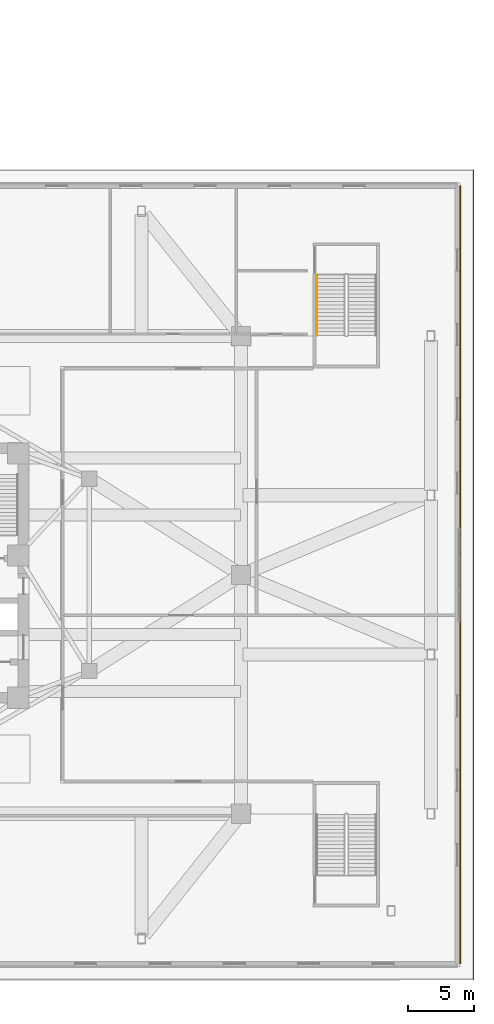
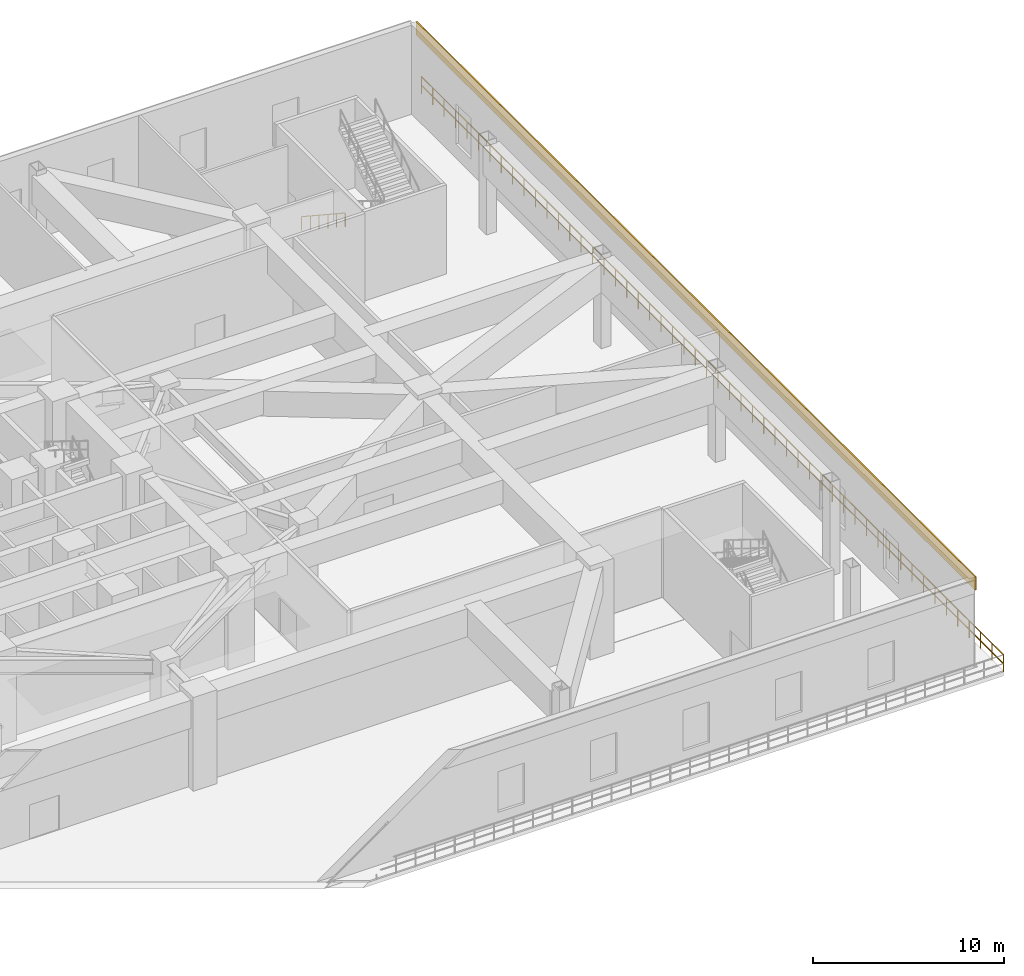
# One storey, part 24 of 25: 2 railings, 1 covering.
"""IFC4 building model written with IfcOpenShell, lengths in metres."""

from ifc_helpers import new_model, si_unit, direction, frame, origin, origin_2d, place, context, subcontext, project, spatial, polyline, rectangle, outline, extrude, material, layer, layer_set, type_object, element, save


model = new_model("IFC4")

# Units and contexts
model_context = context("Model", 3, precision=1e-05, world=origin(), true_north=direction((0.0, 1.0)))
body_context = subcontext(model_context, "Body", "Model", "MODEL_VIEW")
ifc_project = project(units=[si_unit("LENGTHUNIT", "METRE"), si_unit("AREAUNIT", "SQUARE_METRE"), si_unit("VOLUMEUNIT", "CUBIC_METRE"), si_unit("PLANEANGLEUNIT", "RADIAN"), si_unit("MASSUNIT", "GRAM", prefix="KILO")], contexts=[model_context])

# Site, building, storey
site_placement = place(None, origin())
site = spatial("IfcSite", under=ifc_project, at=site_placement, CompositionType="ELEMENT")
building_placement = place(site_placement, origin())
building = spatial("IfcBuilding", under=site, at=building_placement, Name="Apsidion Concourse Tower", CompositionType="ELEMENT")
storey_placement = place(building_placement, frame((0.0, 0.0, 11.5)))
storey = spatial("IfcBuildingStorey", under=building, at=storey_placement, Name="L02", CompositionType="ELEMENT", Elevation=11.5)

# Covering
ifc_material_1 = material(Name="Reconstituted limestone facade cladding", Category="masonry")
ifc_layer = layer(ifc_material_1, 0.080078125)
ifc_layer_set = layer_set([ifc_layer], Name="Reconstituted limestone facade cladding")
covering_type = type_object("IfcCoveringType", Name="COV-CLAD-80", PredefinedType="CLADDING", material=ifc_layer_set)
covering_placement = place(storey_placement, frame((0.0, 0.0, 4.85009765625)))
element("IfcCovering", 1, at=covering_placement, inside=storey, type_object=covering_type, Name="L02 Limestone Spandrel Cladding E", PredefinedType="CLADDING", context=body_context, shape_type="SweptSolid", body=[
    extrude(outline(polyline([(40.47998046875, 29.300048828125), (40.47998046875, -29.300048828125), (40.56005859375, -29.300048828125), (40.56005859375, 29.300048828125), (40.47998046875, 29.300048828125)])), origin(), (0.0, 0.0, 1.0), 0.849853515625),
])

# Railings
ifc_material_2 = material(Name="Brushed stainless steel 316", Category="steel")
railing_type_1 = type_object("IfcRailingType", Name="RL-BAL-1120", PredefinedType="BALUSTRADE", material=ifc_material_2)
railing_1_placement = place(storey_placement, frame((41.5, 30.5, 0.0)))
element("IfcRailing", 2, at=railing_1_placement, inside=storey, type_object=railing_type_1, Name="L02 Podium Setback Terrace Balustrade 2", PredefinedType="BALUSTRADE", context=body_context, shape_type="SweptSolid", body=[
    extrude(rectangle(XDim=0.048095703125, YDim=0.048095703125, at=origin_2d()), frame((0.0, 0.0, 1.09619140625), z_axis=(0.0, -1.0, 0.0), x_axis=(1.0, 0.0, 0.0)), (0.0, 0.0, 1.0), 61.0),
    extrude(rectangle(XDim=0.048095703125, YDim=0.048095703125, at=origin_2d()), frame((0.0, 0.0, 0.5361328125), z_axis=(0.0, -1.0, 0.0), x_axis=(1.0, 0.0, 0.0)), (0.0, 0.0, 1.0), 61.0),
    extrude(rectangle(XDim=0.0419921875, YDim=0.0419921875, at=origin_2d()), origin(), (0.0, 0.0, 1.0), 1.072021484375),
    extrude(rectangle(XDim=0.0419921875, YDim=0.0419921875, at=origin_2d()), frame((0.0, -1.196044921875, 0.0)), (0.0, 0.0, 1.0), 1.072021484375),
    extrude(rectangle(XDim=0.0419921875, YDim=0.0419921875, at=origin_2d()), frame((0.0, -2.39208984375, 0.0)), (0.0, 0.0, 1.0), 1.072021484375),
    extrude(rectangle(XDim=0.0419921875, YDim=0.0419921875, at=origin_2d()), frame((0.0, -3.588134765625, 0.0)), (0.0, 0.0, 1.0), 1.072021484375),
    extrude(rectangle(XDim=0.0419921875, YDim=0.0419921875, at=origin_2d()), frame((0.0, -4.784423828125, 0.0)), (0.0, 0.0, 1.0), 1.072021484375),
    extrude(rectangle(XDim=0.0419921875, YDim=0.0419921875, at=origin_2d()), frame((0.0, -5.98046875, 0.0)), (0.0, 0.0, 1.0), 1.072021484375),
    extrude(rectangle(XDim=0.0419921875, YDim=0.0419921875, at=origin_2d()), frame((0.0, -7.176513671875, 0.0)), (0.0, 0.0, 1.0), 1.072021484375),
    extrude(rectangle(XDim=0.0419921875, YDim=0.0419921875, at=origin_2d()), frame((0.0, -8.37255859375, 0.0)), (0.0, 0.0, 1.0), 1.072021484375),
    extrude(rectangle(XDim=0.0419921875, YDim=0.0419921875, at=origin_2d()), frame((0.0, -9.568603515625, 0.0)), (0.0, 0.0, 1.0), 1.072021484375),
    extrude(rectangle(XDim=0.0419921875, YDim=0.0419921875, at=origin_2d()), frame((0.0, -10.7646484375, 0.0)), (0.0, 0.0, 1.0), 1.072021484375),
    extrude(rectangle(XDim=0.0419921875, YDim=0.0419921875, at=origin_2d()), frame((0.0, -11.960693359375, 0.0)), (0.0, 0.0, 1.0), 1.072021484375),
    extrude(rectangle(XDim=0.0419921875, YDim=0.0419921875, at=origin_2d()), frame((0.0, -13.156982421875, 0.0)), (0.0, 0.0, 1.0), 1.072021484375),
    extrude(rectangle(XDim=0.0419921875, YDim=0.0419921875, at=origin_2d()), frame((0.0, -14.35302734375, 0.0)), (0.0, 0.0, 1.0), 1.072021484375),
    extrude(rectangle(XDim=0.0419921875, YDim=0.0419921875, at=origin_2d()), frame((0.0, -15.549072265625, 0.0)), (0.0, 0.0, 1.0), 1.072021484375),
    extrude(rectangle(XDim=0.0419921875, YDim=0.0419921875, at=origin_2d()), frame((0.0, -16.7451171875, 0.0)), (0.0, 0.0, 1.0), 1.072021484375),
    extrude(rectangle(XDim=0.0419921875, YDim=0.0419921875, at=origin_2d()), frame((0.0, -17.941162109375, 0.0)), (0.0, 0.0, 1.0), 1.072021484375),
    extrude(rectangle(XDim=0.0419921875, YDim=0.0419921875, at=origin_2d()), frame((0.0, -19.13720703125, 0.0)), (0.0, 0.0, 1.0), 1.072021484375),
    extrude(rectangle(XDim=0.0419921875, YDim=0.0419921875, at=origin_2d()), frame((0.0, -20.333251953125, 0.0)), (0.0, 0.0, 1.0), 1.072021484375),
    extrude(rectangle(XDim=0.0419921875, YDim=0.0419921875, at=origin_2d()), frame((0.0, -21.529296875, 0.0)), (0.0, 0.0, 1.0), 1.072021484375),
    extrude(rectangle(XDim=0.0419921875, YDim=0.0419921875, at=origin_2d()), frame((0.0, -22.7255859375, 0.0)), (0.0, 0.0, 1.0), 1.072021484375),
    extrude(rectangle(XDim=0.0419921875, YDim=0.0419921875, at=origin_2d()), frame((0.0, -23.921630859375, 0.0)), (0.0, 0.0, 1.0), 1.072021484375),
    extrude(rectangle(XDim=0.0419921875, YDim=0.0419921875, at=origin_2d()), frame((0.0, -25.11767578125, 0.0)), (0.0, 0.0, 1.0), 1.072021484375),
    extrude(rectangle(XDim=0.0419921875, YDim=0.0419921875, at=origin_2d()), frame((0.0, -26.313720703125, 0.0)), (0.0, 0.0, 1.0), 1.072021484375),
    extrude(rectangle(XDim=0.0419921875, YDim=0.0419921875, at=origin_2d()), frame((0.0, -27.509765625, 0.0)), (0.0, 0.0, 1.0), 1.072021484375),
    extrude(rectangle(XDim=0.0419921875, YDim=0.0419921875, at=origin_2d()), frame((0.0, -28.705810546875, 0.0)), (0.0, 0.0, 1.0), 1.072021484375),
    extrude(rectangle(XDim=0.0419921875, YDim=0.0419921875, at=origin_2d()), frame((0.0, -29.90185546875, 0.0)), (0.0, 0.0, 1.0), 1.072021484375),
    extrude(rectangle(XDim=0.0419921875, YDim=0.0419921875, at=origin_2d()), frame((0.0, -31.09814453125, 0.0)), (0.0, 0.0, 1.0), 1.072021484375),
    extrude(rectangle(XDim=0.0419921875, YDim=0.0419921875, at=origin_2d()), frame((0.0, -32.294189453125, 0.0)), (0.0, 0.0, 1.0), 1.072021484375),
    extrude(rectangle(XDim=0.0419921875, YDim=0.0419921875, at=origin_2d()), frame((0.0, -33.490234375, 0.0)), (0.0, 0.0, 1.0), 1.072021484375),
    extrude(rectangle(XDim=0.0419921875, YDim=0.0419921875, at=origin_2d()), frame((0.0, -34.686279296875, 0.0)), (0.0, 0.0, 1.0), 1.072021484375),
    extrude(rectangle(XDim=0.0419921875, YDim=0.0419921875, at=origin_2d()), frame((0.0, -35.88232421875, 0.0)), (0.0, 0.0, 1.0), 1.072021484375),
    extrude(rectangle(XDim=0.0419921875, YDim=0.0419921875, at=origin_2d()), frame((0.0, -37.078369140625, 0.0)), (0.0, 0.0, 1.0), 1.072021484375),
    extrude(rectangle(XDim=0.0419921875, YDim=0.0419921875, at=origin_2d()), frame((0.0, -38.2744140625, 0.0)), (0.0, 0.0, 1.0), 1.072021484375),
    extrude(rectangle(XDim=0.0419921875, YDim=0.0419921875, at=origin_2d()), frame((0.0, -39.470703125, 0.0)), (0.0, 0.0, 1.0), 1.072021484375),
    extrude(rectangle(XDim=0.0419921875, YDim=0.0419921875, at=origin_2d()), frame((0.0, -40.666748046875, 0.0)), (0.0, 0.0, 1.0), 1.072021484375),
    extrude(rectangle(XDim=0.0419921875, YDim=0.0419921875, at=origin_2d()), frame((0.0, -41.86279296875, 0.0)), (0.0, 0.0, 1.0), 1.072021484375),
    extrude(rectangle(XDim=0.0419921875, YDim=0.0419921875, at=origin_2d()), frame((0.0, -43.058837890625, 0.0)), (0.0, 0.0, 1.0), 1.072021484375),
    extrude(rectangle(XDim=0.0419921875, YDim=0.0419921875, at=origin_2d()), frame((0.0, -44.2548828125, 0.0)), (0.0, 0.0, 1.0), 1.072021484375),
    extrude(rectangle(XDim=0.0419921875, YDim=0.0419921875, at=origin_2d()), frame((0.0, -45.450927734375, 0.0)), (0.0, 0.0, 1.0), 1.072021484375),
    extrude(rectangle(XDim=0.0419921875, YDim=0.0419921875, at=origin_2d()), frame((0.0, -46.64697265625, 0.0)), (0.0, 0.0, 1.0), 1.072021484375),
    extrude(rectangle(XDim=0.0419921875, YDim=0.0419921875, at=origin_2d()), frame((0.0, -47.843017578125, 0.0)), (0.0, 0.0, 1.0), 1.072021484375),
    extrude(rectangle(XDim=0.0419921875, YDim=0.0419921875, at=origin_2d()), frame((0.0, -49.039306640625, 0.0)), (0.0, 0.0, 1.0), 1.072021484375),
    extrude(rectangle(XDim=0.0419921875, YDim=0.0419921875, at=origin_2d()), frame((0.0, -50.2353515625, 0.0)), (0.0, 0.0, 1.0), 1.072021484375),
    extrude(rectangle(XDim=0.0419921875, YDim=0.0419921875, at=origin_2d()), frame((0.0, -51.431396484375, 0.0)), (0.0, 0.0, 1.0), 1.072021484375),
    extrude(rectangle(XDim=0.0419921875, YDim=0.0419921875, at=origin_2d()), frame((0.0, -52.62744140625, 0.0)), (0.0, 0.0, 1.0), 1.072021484375),
    extrude(rectangle(XDim=0.0419921875, YDim=0.0419921875, at=origin_2d()), frame((0.0, -53.823486328125, 0.0)), (0.0, 0.0, 1.0), 1.072021484375),
    extrude(rectangle(XDim=0.0419921875, YDim=0.0419921875, at=origin_2d()), frame((0.0, -55.01953125, 0.0)), (0.0, 0.0, 1.0), 1.072021484375),
    extrude(rectangle(XDim=0.0419921875, YDim=0.0419921875, at=origin_2d()), frame((0.0, -56.215576171875, 0.0)), (0.0, 0.0, 1.0), 1.072021484375),
    extrude(rectangle(XDim=0.0419921875, YDim=0.0419921875, at=origin_2d()), frame((0.0, -57.411865234375, 0.0)), (0.0, 0.0, 1.0), 1.072021484375),
    extrude(rectangle(XDim=0.0419921875, YDim=0.0419921875, at=origin_2d()), frame((0.0, -58.60791015625, 0.0)), (0.0, 0.0, 1.0), 1.072021484375),
    extrude(rectangle(XDim=0.0419921875, YDim=0.0419921875, at=origin_2d()), frame((0.0, -59.803955078125, 0.0)), (0.0, 0.0, 1.0), 1.072021484375),
    extrude(rectangle(XDim=0.0419921875, YDim=0.0419921875, at=origin_2d()), frame((0.0, -61.0, 0.0)), (0.0, 0.0, 1.0), 1.072021484375),
])
railing_type_2 = type_object("IfcRailingType", Name="RL-HAND-900", PredefinedType="HANDRAIL", material=ifc_material_2)
railing_2_placement = place(storey_placement, frame((29.699951171875, 22.60009765625, 0.176513671875)))
element("IfcRailing", 3, at=railing_2_placement, inside=storey, type_object=railing_type_2, Name="L02 ST-P4 stair handrail 1", PredefinedType="HANDRAIL", context=body_context, shape_type="SweptSolid", body=[
    extrude(rectangle(XDim=0.048095703125, YDim=0.048095703125, at=origin_2d()), frame((0.0, 0.0, 0.8759765625), z_axis=(0.0, -0.835420324919, 0.549611572578), x_axis=(1.0, 0.0, 0.0)), (0.0, 0.0, 1.0), 5.45849609375),
    extrude(rectangle(XDim=0.0419921875, YDim=0.0419921875, at=origin_2d()), origin(), (0.0, 0.0, 1.0), 0.851806640625),
    extrude(rectangle(XDim=0.0419921875, YDim=0.0419921875, at=origin_2d()), frame((0.0, -0.912109375, 0.60009765625)), (0.0, 0.0, 1.0), 0.851806640625),
    extrude(rectangle(XDim=0.0419921875, YDim=0.0419921875, at=origin_2d()), frame((0.0, -1.823974609375, 1.199951171875)), (0.0, 0.0, 1.0), 0.851806640625),
    extrude(rectangle(XDim=0.0419921875, YDim=0.0419921875, at=origin_2d()), frame((0.0, -2.736083984375, 1.800048828125)), (0.0, 0.0, 1.0), 0.851806640625),
    extrude(rectangle(XDim=0.0419921875, YDim=0.0419921875, at=origin_2d()), frame((0.0, -3.64794921875, 2.39990234375)), (0.0, 0.0, 1.0), 0.851806640625),
    extrude(rectangle(XDim=0.0419921875, YDim=0.0419921875, at=origin_2d()), frame((0.0, -4.56005859375, 3.0)), (0.0, 0.0, 1.0), 0.851806640625),
])

save(model, "model.ifc")
